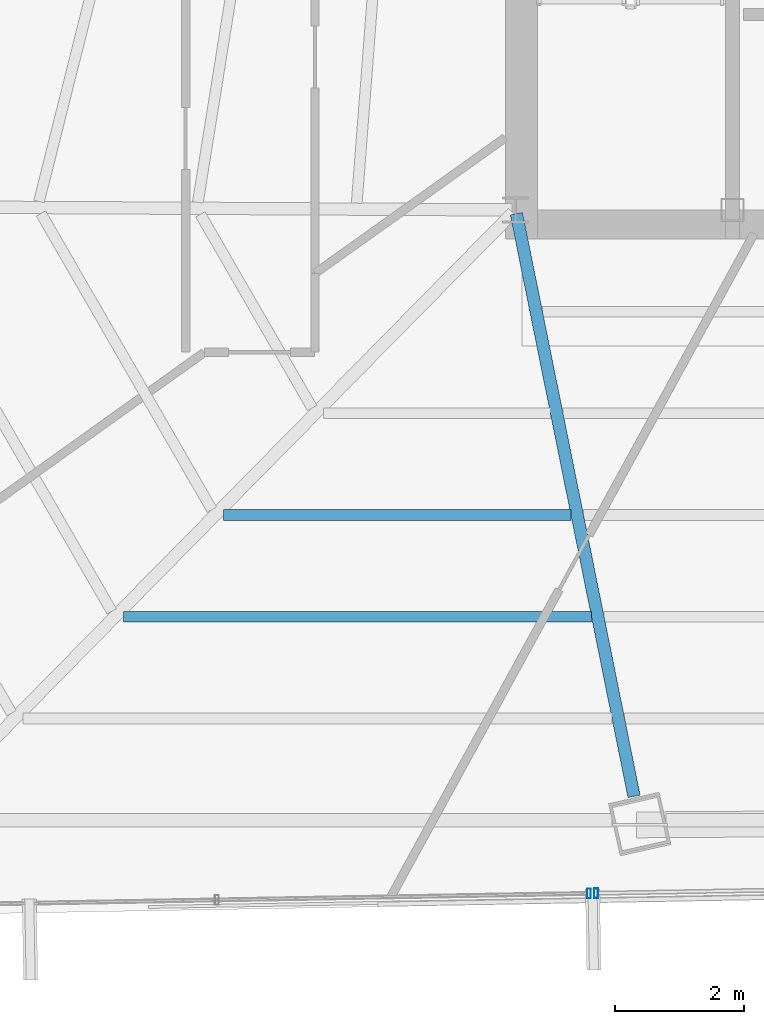
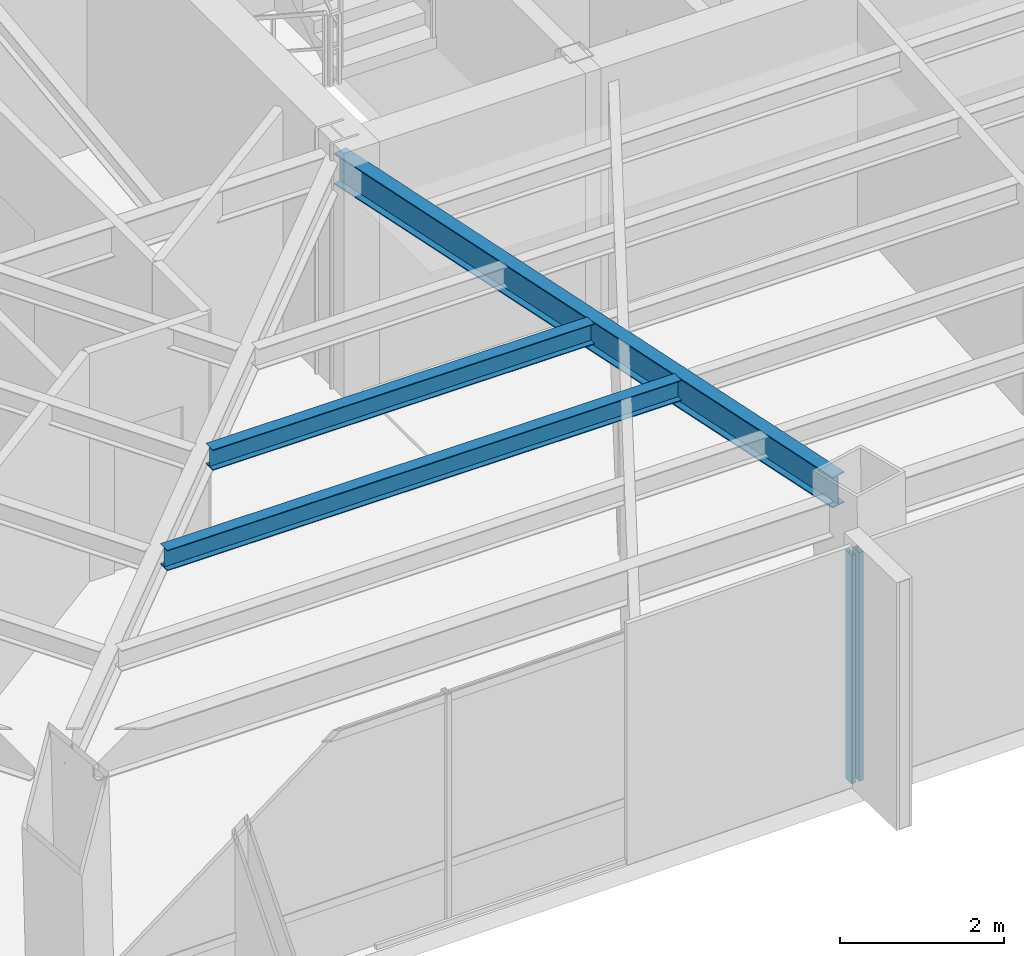
# One storey, part 10 of 42: 3 beams, 2 members, 2 elements without a shape of their own.
"""IFC4 building model written with IfcOpenShell, lengths in metres."""

from ifc_helpers import new_model, si_unit, direction, frame, origin, origin_2d, place, context, subcontext, project, spatial, hollow_rectangle, i_section, extrude, source, transform, mapped, material, material_profile, profile_set, type_object, type_shapes, element, aggregate, save


model = new_model("IFC4")

# Units and contexts
model_context = context("Model", 3, precision=1e-05, world=origin(), true_north=direction((0.0, 1.0)))
body_context = subcontext(model_context, "Body", "Model", "MODEL_VIEW")
ifc_project = project(units=[si_unit("LENGTHUNIT", "METRE"), si_unit("AREAUNIT", "SQUARE_METRE"), si_unit("VOLUMEUNIT", "CUBIC_METRE"), si_unit("PLANEANGLEUNIT", "RADIAN"), si_unit("MASSUNIT", "GRAM", prefix="KILO")], contexts=[model_context])

# Site, building, storey
site_placement = place(None, origin())
site = spatial("IfcSite", under=ifc_project, at=site_placement, CompositionType="ELEMENT")
building_placement = place(site_placement, origin())
building = spatial("IfcBuilding", under=site, at=building_placement, Name="Caelisora Broadcast Tower", CompositionType="ELEMENT")
storey_placement = place(building_placement, frame((0.0, 0.0, 184.050048828125)))
storey = spatial("IfcBuildingStorey", under=building, at=storey_placement, Name="L48", CompositionType="ELEMENT", Elevation=184.050048828125)

# Beams
ifc_material_1 = material(Name="Steel Grade 350 (AS/NZS 3679.1)", Category="steel")
ifc_material_profile_1 = material_profile(ifc_material_1, i_section(OverallWidth=0.19091796875, OverallDepth=0.46044921875, WebThickness=0.010009765625, FlangeThickness=0.01611328125, at=origin_2d()), Name="Steel Grade 350 (AS/NZS 3679.1)")
ifc_profile_set_1 = profile_set([ifc_material_profile_1], Name="Steel Grade 350 (AS/NZS 3679.1)")
beam_type_1 = type_object("IfcBeamType", Name="PG06", PredefinedType="BEAM", material=ifc_profile_set_1)
shared_shape_1 = source(origin(), body_context, "Body", "SweptSolid", [
    extrude(i_section(OverallWidth=0.19091796875, OverallDepth=0.46044921875, WebThickness=0.010009765625, FlangeThickness=0.01611328125, at=origin_2d()), origin(), (0.0, 0.0, 1.0), 9.18310546875),
])
type_shapes(beam_type_1, [shared_shape_1])
beam_1_placement = place(storey_placement, frame((30.511962890625, 17.34130859375, 3.169677734375), z_axis=(0.197905242383, -0.980221156187, 0.0), x_axis=(0.980221156187, 0.197905242383, 0.0)))
element("IfcBeam", 1, at=beam_1_placement, inside=storey, type_object=beam_type_1, Name="L48 beam PG06", PredefinedType="BEAM", context=body_context, shape_type="MappedRepresentation", body=[
    mapped(shared_shape_1, transform((0.0, 0.0, 0.0), scale=1.0)),
])
ifc_material_profile_2 = material_profile(ifc_material_1, i_section(OverallWidth=0.166015625, OverallDepth=0.30712890625, WebThickness=0.006591796875, FlangeThickness=0.01171875, at=origin_2d()), Name="Steel Grade 350 (AS/NZS 3679.1)")
ifc_profile_set_2 = profile_set([ifc_material_profile_2], Name="Steel Grade 350 (AS/NZS 3679.1)")
beam_type_2 = type_object("IfcBeamType", Name="SB03", PredefinedType="JOIST", material=ifc_profile_set_2)
shared_shape_2 = source(origin(), body_context, "Body", "SweptSolid", [
    extrude(i_section(OverallWidth=0.166015625, OverallDepth=0.30712890625, WebThickness=0.006591796875, FlangeThickness=0.01171875, at=origin_2d()), origin(), (0.0, 0.0, 1.0), 5.37060546875),
])
beam_2_placement = place(storey_placement, frame((25.98681640625, 12.685546875, 3.246337890625), z_axis=(1.0, 0.0, 0.0), x_axis=(0.0, 1.0, 0.0)))
element("IfcBeam", 2, at=beam_2_placement, inside=storey, type_object=beam_type_2, Name="L48 beam SB03", PredefinedType="JOIST", context=body_context, shape_type="MappedRepresentation", body=[
    mapped(shared_shape_2, transform((0.0, 0.0, 0.0), scale=1.0)),
])
shared_shape_3 = source(origin(), body_context, "Body", "SweptSolid", [
    extrude(i_section(OverallWidth=0.166015625, OverallDepth=0.30712890625, WebThickness=0.006591796875, FlangeThickness=0.01171875, at=origin_2d()), origin(), (0.0, 0.0, 1.0), 7.236083984375),
])
type_shapes(beam_type_2, [shared_shape_2, shared_shape_3])
beam_3_placement = place(storey_placement, frame((24.438720703125, 11.114013671875, 3.246337890625), z_axis=(1.0, 0.0, 0.0), x_axis=(0.0, 1.0, 0.0)))
element("IfcBeam", 3, at=beam_3_placement, inside=storey, type_object=beam_type_2, Name="L48 beam SB03", PredefinedType="JOIST", context=body_context, shape_type="MappedRepresentation", body=[
    mapped(shared_shape_3, transform((0.0, 0.0, 0.0), scale=1.0)),
])

# Curtain wall, member
ifc_material_2 = material(Name="Unitised Aluminium Insulated Shadow-Box Spandrel Curtain Wall", Category="aluminium")
curtain_wall_type_1 = type_object("IfcCurtainWallType", Name="CW-SP2", PredefinedType="NOTDEFINED", material=ifc_material_2)
curtain_wall_1_placement = place(storey_placement, origin())
curtain_wall_1 = element("IfcCurtainWall", 4, at=curtain_wall_1_placement, inside=storey, type_object=curtain_wall_type_1, Name="L48 curtain wall CW-SP2", PredefinedType="NOTDEFINED")
ifc_material_3 = material(Name="Aluminium 6063-T6 Anodised Terracotta Bronze", Category="aluminium")
ifc_material_profile_3 = material_profile(ifc_material_3, hollow_rectangle(XDim=0.06005859375, YDim=0.14990234375, WallThickness=0.00341796875, at=origin_2d()), Name="Aluminium 6063-T6 Anodised Terracotta Bronze")
ifc_profile_set_3 = profile_set([ifc_material_profile_3], Name="Aluminium 6063-T6 Anodised Terracotta Bronze")
member_type = type_object("IfcMemberType", Name="CWM-03", PredefinedType="MULLION", material=ifc_profile_set_3)
shared_shape_4 = source(origin(), body_context, "Body", "SweptSolid", [
    extrude(hollow_rectangle(XDim=0.06005859375, YDim=0.14990234375, WallThickness=0.00341796875, at=origin_2d()), origin(), (0.0, 0.0, 1.0), 3.39990234375),
])
type_shapes(member_type, [shared_shape_4])
member_1_placement = place(storey_placement, frame((31.74365234375, 6.84228515625, 0.0), z_axis=(0.0, 0.0, 1.0), x_axis=(1.0, 0.0, 0.0)))
member_1 = element("IfcMember", 5, at=member_1_placement, type_object=member_type, Name="L48-CW-B06 mullion #3", PredefinedType="MULLION", context=body_context, shape_type="MappedRepresentation", body=[
    mapped(shared_shape_4, transform((0.0, 0.0, 0.0), scale=1.0)),
])
aggregate(curtain_wall_1, [member_1])

ifc_material_4 = material(Name="Unitised Aluminium and Low-E Glass Curtain Wall", Category="glass")
curtain_wall_type_2 = type_object("IfcCurtainWallType", Name="CW-Z4", PredefinedType="NOTDEFINED", material=ifc_material_4)
curtain_wall_2_placement = place(storey_placement, origin())
curtain_wall_2 = element("IfcCurtainWall", 6, at=curtain_wall_2_placement, inside=storey, type_object=curtain_wall_type_2, Name="L48 curtain wall CW-Z4", PredefinedType="NOTDEFINED")
member_2_placement = place(storey_placement, frame((31.633544921875, 6.84033203125, 0.0), z_axis=(0.0, 0.0, 1.0), x_axis=(1.0, 0.0, 0.0)))
member_2 = element("IfcMember", 7, at=member_2_placement, type_object=member_type, Name="L48-CW-B07 mullion #0", PredefinedType="MULLION", context=body_context, shape_type="MappedRepresentation", body=[
    mapped(shared_shape_4, transform((0.0, 0.0, 0.0), scale=1.0)),
])
aggregate(curtain_wall_2, [member_2])

save(model, "model.ifc")
